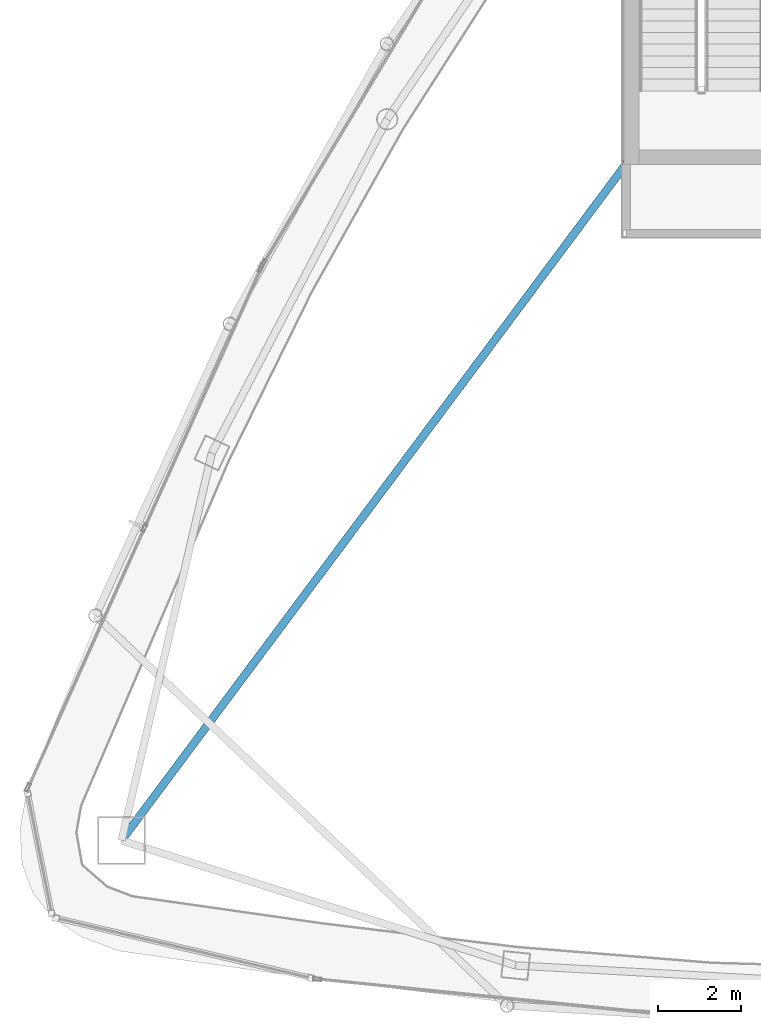
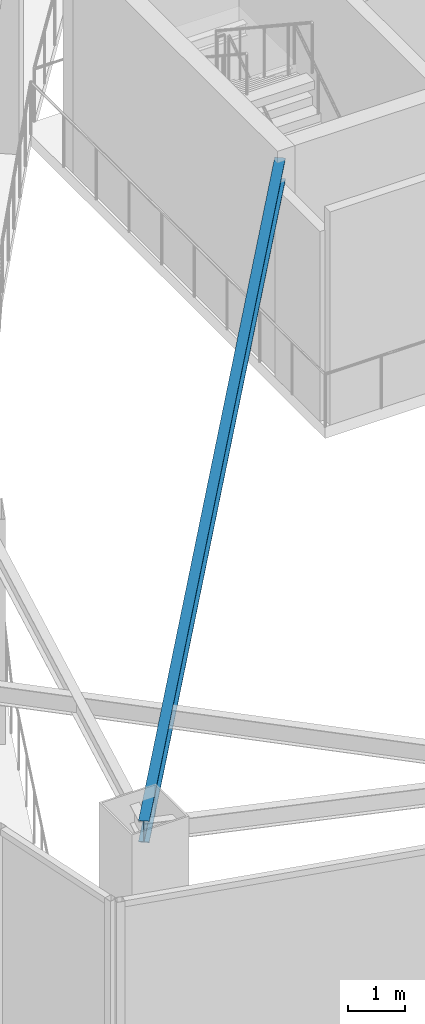
# One storey, part 5 of 19: 1 beam.
"""IFC4 building model written with IfcOpenShell, lengths in metres."""

from ifc_helpers import new_model, si_unit, direction, frame, origin, origin_2d, place, context, subcontext, project, spatial, i_section, extrude, material, material_profile, profile_set, type_object, element, save


model = new_model("IFC4")

# Units and contexts
model_context = context("Model", 3, precision=1e-05, world=origin(), true_north=direction((0.0, 1.0)))
body_context = subcontext(model_context, "Body", "Model", "MODEL_VIEW")
ifc_project = project(units=[si_unit("LENGTHUNIT", "METRE"), si_unit("AREAUNIT", "SQUARE_METRE"), si_unit("VOLUMEUNIT", "CUBIC_METRE"), si_unit("PLANEANGLEUNIT", "RADIAN"), si_unit("MASSUNIT", "GRAM", prefix="KILO")], contexts=[model_context])

# Site, building, storey
site_placement = place(None, origin())
site = spatial("IfcSite", under=ifc_project, at=site_placement, CompositionType="ELEMENT")
building_placement = place(site_placement, origin())
building = spatial("IfcBuilding", under=site, at=building_placement, Name="Orvanel Arch Residences", CompositionType="ELEMENT")
storey_placement = place(building_placement, frame((0.0, 0.0, 295.699951171875)))
storey = spatial("IfcBuildingStorey", under=building, at=storey_placement, Name="L83", CompositionType="ELEMENT", Elevation=295.699951171875)

# Beam
ifc_material = material(Name="Structural steel AS/NZS 3679.1 Grade 300 (300 MPa)", Category="steel")
ifc_material_profile = material_profile(ifc_material, i_section(OverallWidth=0.19091796875, OverallDepth=0.4599609375, WebThickness=0.010009765625, FlangeThickness=0.01611328125, at=origin_2d()), Name="460UB82.1")
ifc_profile_set = profile_set([ifc_material_profile], Name="Structural steel AS/NZS 3679.1 Grade 300 (300 MPa)")
beam_type = type_object("IfcBeamType", Name="BG-460UB", PredefinedType="BEAM", material=ifc_profile_set)
beam_placement = place(storey_placement, frame((26.375, 26.675048828125, 4.320068359375), z_axis=(-0.597893733742, -0.801575375839, 0.0), x_axis=(0.801575375839, -0.597893733742, 0.0)))
element("IfcBeam", 1, at=beam_placement, inside=storey, type_object=beam_type, Name="L83 South-West Radial Girder", PredefinedType="BEAM", context=body_context, shape_type="SweptSolid", body=[
    extrude(i_section(OverallWidth=0.19091796875, OverallDepth=0.4599609375, WebThickness=0.010009765625, FlangeThickness=0.01611328125, at=origin_2d()), origin(), (0.0, 0.0, 1.0), 20.36474609375),
])

save(model, "model.ifc")
